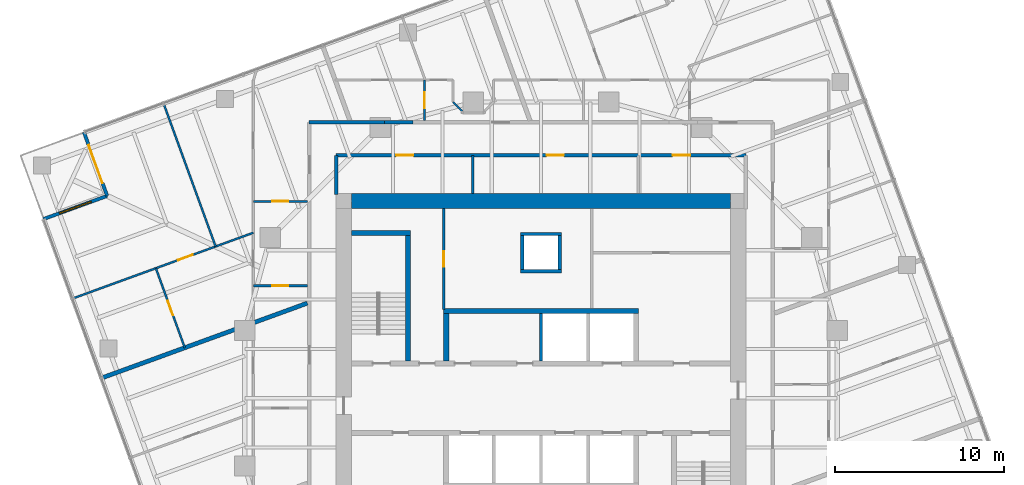
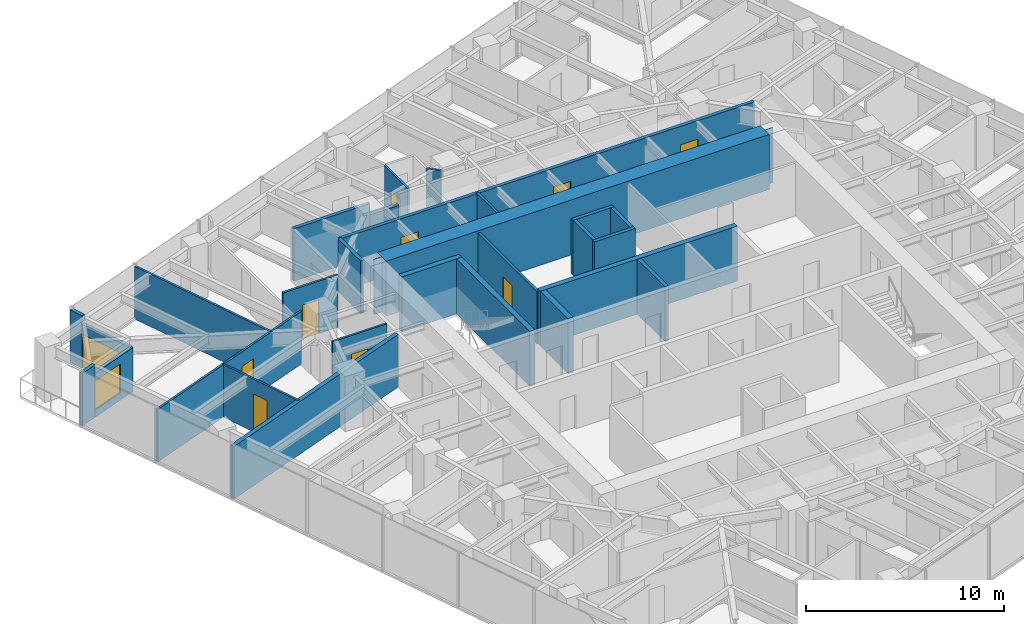
# One storey, part 10 of 13: 28 walls, 10 doors, 1 window, 11 openings.
"""IFC4 building model written with IfcOpenShell, lengths in metres."""

from ifc_helpers import new_model, si_unit, direction, frame, frame_2d, origin, place, context, subcontext, project, spatial, polyline, rectangle, outline, extrude, material, layer, layer_set, type_object, element, fill, save


model = new_model("IFC4")

# Units and contexts
model_context = context("Model", 3, precision=1e-05, world=origin(), true_north=direction((0.0, 1.0)))
body_context = subcontext(model_context, "Body", "Model", "MODEL_VIEW")
ifc_project = project(units=[si_unit("LENGTHUNIT", "METRE"), si_unit("AREAUNIT", "SQUARE_METRE"), si_unit("VOLUMEUNIT", "CUBIC_METRE"), si_unit("PLANEANGLEUNIT", "RADIAN"), si_unit("MASSUNIT", "GRAM", prefix="KILO")], contexts=[model_context])

# Site, building, storey
site_placement = place(None, origin())
site = spatial("IfcSite", under=ifc_project, at=site_placement, CompositionType="ELEMENT")
building_placement = place(site_placement, origin())
building = spatial("IfcBuilding", under=site, at=building_placement, Name="Torsade Residences", CompositionType="ELEMENT")
storey_placement = place(building_placement, frame((0.0, 0.0, 147.199951171875)))
storey = spatial("IfcBuildingStorey", under=building, at=storey_placement, Name="L40", CompositionType="ELEMENT", Elevation=147.199951171875)

# Walls
ifc_material_1 = material(Name="Concrete 80 MPa", Category="concrete")
ifc_layer_1 = layer(ifc_material_1, 0.300048828125)
ifc_layer_set_1 = layer_set([ifc_layer_1], Name="Concrete 80 MPa")
wall_type_1 = type_object("IfcWallType", Name="CORE INTERNAL WALL 300", PredefinedType="SHEAR", material=ifc_layer_set_1)
wall_1_placement = place(storey_placement, frame((34.25, 35.14990234375, 0.0), z_axis=(0.0, 0.0, 1.0), x_axis=(1.0, 0.0, 0.0)))
element("IfcWall", 1, at=wall_1_placement, inside=storey, type_object=wall_type_1, Name="Core wall BN L40", PredefinedType="SHEAR", context=body_context, shape_type="SweptSolid", body=[
    extrude(rectangle(XDim=11.5, YDim=0.300048828125, at=frame_2d((5.75, 0.0))), origin(), (0.0, 0.0, 1.0), 3.400146484375),
])
wall_2_placement = place(storey_placement, frame((34.39990234375, 32.199951171875, 0.0), z_axis=(0.0, 0.0, 1.0), x_axis=(0.0, 1.0, 0.0)))
element("IfcWall", 2, at=wall_2_placement, inside=storey, type_object=wall_type_1, Name="Core wall DN0 L40", PredefinedType="SHEAR", context=body_context, shape_type="SweptSolid", body=[
    extrude(rectangle(XDim=2.800048828125, YDim=0.300048828125, at=frame_2d((1.39990234375, 0.0))), origin(), (0.0, 0.0, 1.0), 3.400146484375),
])
wall_3_placement = place(storey_placement, frame((32.14990234375, 32.199951171875, 0.0), z_axis=(0.0, 0.0, 1.0), x_axis=(0.0, 1.0, 0.0)))
element("IfcWall", 3, at=wall_3_placement, inside=storey, type_object=wall_type_1, Name="Core wall ST1E L40", PredefinedType="SHEAR", context=body_context, shape_type="SweptSolid", body=[
    extrude(rectangle(XDim=7.699951171875, YDim=0.300048828125, at=frame_2d((3.85009765625, 0.0))), origin(), (0.0, 0.0, 1.0), 3.400146484375),
])
wall_4_placement = place(storey_placement, frame((28.800048828125, 39.75, 0.0), z_axis=(0.0, 0.0, 1.0), x_axis=(1.0, 0.0, 0.0)))
element("IfcWall", 4, at=wall_4_placement, inside=storey, type_object=wall_type_1, Name="Core wall ST1N L40", PredefinedType="SHEAR", context=body_context, shape_type="SweptSolid", body=[
    extrude(rectangle(XDim=3.5, YDim=0.300048828125, at=frame_2d((1.75, 0.0))), origin(), (0.0, 0.0, 1.0), 3.400146484375),
])
ifc_material_2 = material(Name="Concrete 80 MPa", Category="concrete")
ifc_layer_2 = layer(ifc_material_2, 0.89990234375)
ifc_layer_set_2 = layer_set([ifc_layer_2], Name="Concrete 80 MPa")
wall_type_2 = type_object("IfcWallType", Name="CORE WALL 900", PredefinedType="SHEAR", material=ifc_layer_set_2)
wall_5_placement = place(storey_placement, frame((28.800048828125, 41.64990234375, 0.0), z_axis=(0.0, 0.0, 1.0), x_axis=(1.0, 0.0, 0.0)))
element("IfcWall", 5, at=wall_5_placement, inside=storey, type_object=wall_type_2, Name="Core wall N L40", PredefinedType="SHEAR", context=body_context, shape_type="SweptSolid", body=[
    extrude(outline(polyline([(0.0, -0.449951171875), (22.39990234375, -0.449951171875), (22.39990234375, -0.02490234375), (22.849853515625, -0.02490234375), (22.849853515625, 0.02490234375), (22.39990234375, 0.02490234375), (22.39990234375, 0.449951171875), (0.0, 0.449951171875), (0.0, 0.02490234375), (-0.449951171875, 0.02490234375), (-0.449951171875, -0.02490234375), (0.0, -0.02490234375), (0.0, -0.449951171875)])), origin(), (0.0, 0.0, 1.0), 3.400146484375),
])
ifc_material_3 = material(Name="Plasterboard on steel stud", Category="steel")
ifc_layer_3 = layer(ifc_material_3, 0.199951171875)
ifc_layer_set_3 = layer_set([ifc_layer_3], Name="Plasterboard on steel stud")
wall_type_3 = type_object("IfcWallType", Name="CORRIDOR WALL 200", PredefinedType="PARTITIONING", material=ifc_layer_set_3)
wall_6_placement = place(storey_placement, frame((32.441650390625, 46.300048828125, 0.0), z_axis=(0.0, 0.0, 1.0), x_axis=(-1.0, 0.0, 0.0)))
element("IfcWall", 6, at=wall_6_placement, inside=storey, type_object=wall_type_3, Name="Corridor wall L40", PredefinedType="PARTITIONING", context=body_context, shape_type="SweptSolid", body=[
    extrude(rectangle(XDim=1.683349609375, YDim=0.199951171875, at=frame_2d((0.841796875, 0.0))), origin(), (0.0, 0.0, 1.0), 2.550048828125),
])
wall_7_placement = place(storey_placement, frame((30.75830078125, 46.300048828125, 0.0), z_axis=(0.0, 0.0, 1.0), x_axis=(-1.0, 0.0, 0.0)))
element("IfcWall", 7, at=wall_7_placement, inside=storey, type_object=wall_type_3, Name="Corridor wall L40", PredefinedType="PARTITIONING", context=body_context, shape_type="SweptSolid", body=[
    extrude(rectangle(XDim=4.458251953125, YDim=0.199951171875, at=frame_2d((2.22900390625, 0.0))), origin(), (0.0, 0.0, 1.0), 3.25),
])

# Wall, openings, doors
wall_8_placement = place(storey_placement, frame((52.10009765625, 44.35009765625, 0.0), z_axis=(0.0, 0.0, 1.0), x_axis=(-1.0, 0.0, 0.0)))
wall_8 = element("IfcWall", 8, at=wall_8_placement, inside=storey, type_object=wall_type_3, Name="Corridor wall L40", PredefinedType="PARTITIONING", context=body_context, shape_type="SweptSolid", body=[
    extrude(rectangle(XDim=24.2001953125, YDim=0.199951171875, at=frame_2d((12.10009765625, 0.0))), origin(), (0.0, 0.0, 1.0), 3.25),
])
opening_1_placement = place(wall_8_placement, frame((10.742919921875, 0.0, 0.0)))
opening_1 = element("IfcOpeningElement", 9, at=opening_1_placement, cuts=wall_8, Name="Opening D03", PredefinedType="OPENING", context=body_context, shape_type="SweptSolid", body=[
    extrude(rectangle(XDim=1.02001953125, YDim=2.10009765625, at=frame_2d((0.510009765625, 1.050048828125))), frame((0.0, 0.10986328125, 0.0), z_axis=(0.0, -1.0, 0.0), x_axis=(1.0, 0.0, 0.0)), (0.0, 0.0, 1.0), 0.219970703125),
])
opening_2_placement = place(wall_8_placement, frame((19.6357421875, 0.0, 0.0)))
opening_2 = element("IfcOpeningElement", 10, at=opening_2_placement, cuts=wall_8, Name="Opening D03", PredefinedType="OPENING", context=body_context, shape_type="SweptSolid", body=[
    extrude(rectangle(XDim=1.02001953125, YDim=2.10009765625, at=frame_2d((0.510009765625, 1.050048828125))), frame((0.0, 0.10986328125, 0.0), z_axis=(0.0, -1.0, 0.0), x_axis=(1.0, 0.0, 0.0)), (0.0, 0.0, 1.0), 0.219970703125),
])
opening_3_placement = place(wall_8_placement, frame((3.29736328125, 0.0, 0.0)))
opening_3 = element("IfcOpeningElement", 11, at=opening_3_placement, cuts=wall_8, Name="Opening D03", PredefinedType="OPENING", context=body_context, shape_type="SweptSolid", body=[
    extrude(rectangle(XDim=1.02001953125, YDim=2.10009765625, at=frame_2d((0.510009765625, 1.050048828125))), frame((0.0, 0.10986328125, 0.0), z_axis=(0.0, -1.0, 0.0), x_axis=(1.0, 0.0, 0.0)), (0.0, 0.0, 1.0), 0.219970703125),
])
ifc_material_4 = material(Name="Steel-framed fire door", Category="steel")
door_type_1 = type_object("IfcDoorType", Name="FIRE DOOR 1020", OperationType="NOTDEFINED", PredefinedType="DOOR", material=ifc_material_4)
door_1_placement = place(opening_1_placement, origin())
door_1 = element("IfcDoor", 12, at=door_1_placement, inside=storey, type_object=door_type_1, Name="Door Residential corridor to Residents storage", OperationType="SINGLE_SWING_LEFT", OverallHeight=2.10009765625, OverallWidth=1.02001953125, PredefinedType="DOOR", context=body_context, shape_type="SweptSolid", body=[
    extrude(rectangle(XDim=1.02001953125, YDim=2.10009765625, at=frame_2d((0.510009765625, 1.050048828125))), frame((0.0, 0.02490234375, 0.0), z_axis=(0.0, -1.0, 0.0), x_axis=(1.0, 0.0, 0.0)), (0.0, 0.0, 1.0), 0.050048828125),
])
fill(opening_1, door_1)
door_2_placement = place(opening_2_placement, origin())
door_2 = element("IfcDoor", 13, at=door_2_placement, inside=storey, type_object=door_type_1, Name="Door Residential corridor to Bulk store", OperationType="SINGLE_SWING_LEFT", OverallHeight=2.10009765625, OverallWidth=1.02001953125, PredefinedType="DOOR", context=body_context, shape_type="SweptSolid", body=[
    extrude(rectangle(XDim=1.02001953125, YDim=2.10009765625, at=frame_2d((0.510009765625, 1.050048828125))), frame((0.0, 0.02490234375, 0.0), z_axis=(0.0, -1.0, 0.0), x_axis=(1.0, 0.0, 0.0)), (0.0, 0.0, 1.0), 0.050048828125),
])
fill(opening_2, door_2)
door_3_placement = place(opening_3_placement, origin())
door_3 = element("IfcDoor", 14, at=door_3_placement, inside=storey, type_object=door_type_1, Name="Door Residential corridor to Parcel room", OperationType="SINGLE_SWING_RIGHT", OverallHeight=2.10009765625, OverallWidth=1.02001953125, PredefinedType="DOOR", context=body_context, shape_type="SweptSolid", body=[
    extrude(rectangle(XDim=1.02001953125, YDim=2.10009765625, at=frame_2d((0.510009765625, 1.050048828125))), frame((0.0, 0.02490234375, 0.0), z_axis=(0.0, -1.0, 0.0), x_axis=(1.0, 0.0, 0.0)), (0.0, 0.0, 1.0), 0.050048828125),
])
fill(opening_3, door_3)

# Walls
wall_9_placement = place(storey_placement, frame((27.89990234375, 44.35009765625, 0.0), z_axis=(0.0, 0.0, 1.0), x_axis=(0.0, -1.0, 0.0)))
element("IfcWall", 15, at=wall_9_placement, inside=storey, type_object=wall_type_3, Name="Corridor wall L40", PredefinedType="PARTITIONING", context=body_context, shape_type="SweptSolid", body=[
    extrude(rectangle(XDim=2.300048828125, YDim=0.199951171875, at=frame_2d((1.14990234375, 0.0))), origin(), (0.0, 0.0, 1.0), 3.25),
])
ifc_material_5 = material(Name="Reinforced blockwork", Category="masonry")
ifc_layer_4 = layer(ifc_material_5, 0.199951171875)
ifc_layer_set_4 = layer_set([ifc_layer_4], Name="Reinforced blockwork")
wall_type_4 = type_object("IfcWallType", Name="LIFT SHAFT DIVIDING WALL 200", PredefinedType="SOLIDWALL", material=ifc_layer_set_4)
wall_10_placement = place(storey_placement, frame((40.0, 32.199951171875, 0.0), z_axis=(0.0, 0.0, 1.0), x_axis=(0.0, 1.0, 0.0)))
element("IfcWall", 16, at=wall_10_placement, inside=storey, type_object=wall_type_4, Name="Core wall DN2 L40", PredefinedType="SOLIDWALL", context=body_context, shape_type="SweptSolid", body=[
    extrude(rectangle(XDim=2.800048828125, YDim=0.199951171875, at=frame_2d((1.39990234375, 0.0))), origin(), (0.0, 0.0, 1.0), 3.400146484375),
])
ifc_material_6 = material(Name="Plasterboard on steel stud", Category="steel")
ifc_layer_5 = layer(ifc_material_6, 0.1201171875)
ifc_layer_set_5 = layer_set([ifc_layer_5], Name="Plasterboard on steel stud")
wall_type_5 = type_object("IfcWallType", Name="PARTITION 120", PredefinedType="PARTITIONING", material=ifc_layer_set_5)
wall_11_placement = place(storey_placement, frame((34.800048828125, 47.5, 0.0), z_axis=(0.0, 0.0, 1.0), x_axis=(0.707106781187, -0.707106781187, 0.0)))
element("IfcWall", 17, at=wall_11_placement, inside=storey, type_object=wall_type_5, Name="Partition L40", PredefinedType="PARTITIONING", context=body_context, shape_type="SweptSolid", body=[
    extrude(rectangle(XDim=0.77783203125, YDim=0.1201171875, at=frame_2d((0.388916015625, 0.0))), origin(), (0.0, 0.0, 1.0), 3.25),
])

# Wall, opening, door
wall_12_placement = place(storey_placement, frame((33.111572265625, 46.39990234375, 0.0), z_axis=(0.0, 0.0, 1.0), x_axis=(0.0, 1.0, 0.0)))
wall_12 = element("IfcWall", 18, at=wall_12_placement, inside=storey, type_object=wall_type_5, Name="Partition L40", PredefinedType="PARTITIONING", context=body_context, shape_type="SweptSolid", body=[
    extrude(rectangle(XDim=2.400146484375, YDim=0.1201171875, at=frame_2d((1.2001953125, 0.0))), origin(), (0.0, 0.0, 1.0), 3.25),
])
opening_4_placement = place(wall_12_placement, frame((0.719970703125, 0.0, 0.0)))
opening_4 = element("IfcOpeningElement", 19, at=opening_4_placement, cuts=wall_12, Name="Opening D05", PredefinedType="OPENING", context=body_context, shape_type="SweptSolid", body=[
    extrude(rectangle(XDim=0.9599609375, YDim=2.10009765625, at=frame_2d((0.47998046875, 1.050048828125))), frame((0.0, 0.070068359375, 0.0), z_axis=(0.0, -1.0, 0.0), x_axis=(1.0, 0.0, 0.0)), (0.0, 0.0, 1.0), 0.14013671875),
])
ifc_material_7 = material(Name="Hollow-core timber door in a steel cavity frame", Category="steel")
door_type_2 = type_object("IfcDoorType", Name="BATHROOM CAVITY SLIDING DOOR 960", OperationType="SLIDING_TO_LEFT", PredefinedType="DOOR", material=ifc_material_7)
door_4_placement = place(opening_4_placement, origin())
door_4 = element("IfcDoor", 20, at=door_4_placement, inside=storey, type_object=door_type_2, Name="Door Kitchen and dining to Bathroom", OperationType="SLIDING_TO_LEFT", OverallHeight=2.10009765625, OverallWidth=0.9599609375, PredefinedType="DOOR", context=body_context, shape_type="SweptSolid", body=[
    extrude(rectangle(XDim=0.9599609375, YDim=2.10009765625, at=frame_2d((0.47998046875, 1.050048828125))), frame((0.0, 0.02490234375, 0.0), z_axis=(0.0, -1.0, 0.0), x_axis=(1.0, 0.0, 0.0)), (0.0, 0.0, 1.0), 0.050048828125),
])
fill(opening_4, door_4)

wall_13_placement = place(storey_placement, frame((26.199951171875, 41.633544921875, 0.0), z_axis=(0.0, 0.0, 1.0), x_axis=(-1.0, 0.0, 0.0)))
wall_13 = element("IfcWall", 21, at=wall_13_placement, inside=storey, type_object=wall_type_5, Name="Partition L40", PredefinedType="PARTITIONING", context=body_context, shape_type="SweptSolid", body=[
    extrude(rectangle(XDim=3.199951171875, YDim=0.1201171875, at=frame_2d((1.60009765625, 0.0))), origin(), (0.0, 0.0, 1.0), 3.25),
])
opening_5_placement = place(wall_13_placement, frame((1.1201171875, 0.0, 0.0)))
opening_5 = element("IfcOpeningElement", 22, at=opening_5_placement, cuts=wall_13, Name="Opening D05", PredefinedType="OPENING", context=body_context, shape_type="SweptSolid", body=[
    extrude(rectangle(XDim=0.9599609375, YDim=2.10009765625, at=frame_2d((0.47998046875, 1.050048828125))), frame((0.0, 0.070068359375, 0.0), z_axis=(0.0, -1.0, 0.0), x_axis=(1.0, 0.0, 0.0)), (0.0, 0.0, 1.0), 0.14013671875),
])
door_5_placement = place(opening_5_placement, origin())
door_5 = element("IfcDoor", 23, at=door_5_placement, inside=storey, type_object=door_type_2, Name="Door Kitchen and dining to Bathroom", OperationType="SLIDING_TO_LEFT", OverallHeight=2.10009765625, OverallWidth=0.9599609375, PredefinedType="DOOR", context=body_context, shape_type="SweptSolid", body=[
    extrude(rectangle(XDim=0.9599609375, YDim=2.10009765625, at=frame_2d((0.47998046875, 1.050048828125))), frame((0.0, 0.02490234375, 0.0), z_axis=(0.0, -1.0, 0.0), x_axis=(1.0, 0.0, 0.0)), (0.0, 0.0, 1.0), 0.050048828125),
])
fill(opening_5, door_5)

wall_14_placement = place(storey_placement, frame((26.199951171875, 36.64453125, 0.0), z_axis=(0.0, 0.0, 1.0), x_axis=(-1.0, 0.0, 0.0)))
wall_14 = element("IfcWall", 24, at=wall_14_placement, inside=storey, type_object=wall_type_5, Name="Partition L40", PredefinedType="PARTITIONING", context=body_context, shape_type="SweptSolid", body=[
    extrude(rectangle(XDim=3.199951171875, YDim=0.1201171875, at=frame_2d((1.60009765625, 0.0))), origin(), (0.0, 0.0, 1.0), 3.25),
])
opening_6_placement = place(wall_14_placement, frame((1.1201171875, 0.0, 0.0)))
opening_6 = element("IfcOpeningElement", 25, at=opening_6_placement, cuts=wall_14, Name="Opening D05", PredefinedType="OPENING", context=body_context, shape_type="SweptSolid", body=[
    extrude(rectangle(XDim=0.9599609375, YDim=2.10009765625, at=frame_2d((0.47998046875, 1.050048828125))), frame((0.0, 0.070068359375, 0.0), z_axis=(0.0, -1.0, 0.0), x_axis=(1.0, 0.0, 0.0)), (0.0, 0.0, 1.0), 0.14013671875),
])
door_6_placement = place(opening_6_placement, origin())
door_6 = element("IfcDoor", 26, at=door_6_placement, inside=storey, type_object=door_type_2, Name="Door Bathroom to Ensuite", OperationType="SLIDING_TO_LEFT", OverallHeight=2.10009765625, OverallWidth=0.9599609375, PredefinedType="DOOR", context=body_context, shape_type="SweptSolid", body=[
    extrude(rectangle(XDim=0.9599609375, YDim=2.10009765625, at=frame_2d((0.47998046875, 1.050048828125))), frame((0.0, 0.02490234375, 0.0), z_axis=(0.0, -1.0, 0.0), x_axis=(1.0, 0.0, 0.0)), (0.0, 0.0, 1.0), 0.050048828125),
])
fill(opening_6, door_6)

# Wall
wall_15_placement = place(storey_placement, frame((17.709716796875, 47.384765625, 0.0), z_axis=(0.0, 0.0, 1.0), x_axis=(0.342038393654, -0.939685978009, 0.0)))
element("IfcWall", 27, at=wall_15_placement, inside=storey, type_object=wall_type_5, Name="Partition L40", PredefinedType="PARTITIONING", context=body_context, shape_type="SweptSolid", body=[
    extrude(rectangle(XDim=8.960205078125, YDim=0.1201171875, at=frame_2d((4.47998046875, 0.0))), origin(), (0.0, 0.0, 1.0), 3.25),
])

# Wall, opening, door
wall_16_placement = place(storey_placement, frame((23.0, 39.775146484375, 0.0), z_axis=(0.0, 0.0, 1.0), x_axis=(-0.939693965364, -0.342016449105, 0.0)))
wall_16 = element("IfcWall", 28, at=wall_16_placement, inside=storey, type_object=wall_type_5, Name="Partition L40", PredefinedType="PARTITIONING", context=body_context, shape_type="SweptSolid", body=[
    extrude(rectangle(XDim=11.328369140625, YDim=0.1201171875, at=frame_2d((5.6640625, 0.0))), origin(), (0.0, 0.0, 1.0), 3.25),
])
opening_7_placement = place(wall_16_placement, frame((3.812255859375, 0.0, 0.0)))
opening_7 = element("IfcOpeningElement", 29, at=opening_7_placement, cuts=wall_16, Name="Opening D02", PredefinedType="OPENING", context=body_context, shape_type="SweptSolid", body=[
    extrude(rectangle(XDim=0.919921875, YDim=2.340087890625, at=frame_2d((0.4599609375, 1.169921875))), frame((0.0, 0.070068359375, 0.0), z_axis=(0.0, -1.0, 0.0), x_axis=(1.0, 0.0, 0.0)), (0.0, 0.0, 1.0), 0.14013671875),
])
ifc_material_8 = material(Name="Hollow-core timber door", Category="wood")
door_type_3 = type_object("IfcDoorType", Name="INTERNAL DOOR 920x2340", OperationType="NOTDEFINED", PredefinedType="DOOR", material=ifc_material_8)
door_7_placement = place(opening_7_placement, origin())
door_7 = element("IfcDoor", 30, at=door_7_placement, inside=storey, type_object=door_type_3, Name="Door Walk-in robe to Living room", OperationType="SINGLE_SWING_RIGHT", OverallHeight=2.340087890625, OverallWidth=0.919921875, PredefinedType="DOOR", context=body_context, shape_type="SweptSolid", body=[
    extrude(rectangle(XDim=0.919921875, YDim=2.340087890625, at=frame_2d((0.4599609375, 1.169921875))), frame((0.0, 0.02490234375, 0.0), z_axis=(0.0, -1.0, 0.0), x_axis=(1.0, 0.0, 0.0)), (0.0, 0.0, 1.0), 0.050048828125),
])
fill(opening_7, door_7)

wall_17_placement = place(storey_placement, frame((17.243408203125, 37.679931640625, 0.0), z_axis=(0.0, 0.0, 1.0), x_axis=(0.341993964619, -0.939702148643, 0.0)))
wall_17 = element("IfcWall", 31, at=wall_17_placement, inside=storey, type_object=wall_type_5, Name="Partition L40", PredefinedType="PARTITIONING", context=body_context, shape_type="SweptSolid", body=[
    extrude(rectangle(XDim=5.0, YDim=0.1201171875, at=frame_2d((2.5, 0.0))), origin(), (0.0, 0.0, 1.0), 3.25),
])
opening_8_placement = place(wall_17_placement, frame((2.0400390625, 0.0, 0.0)))
opening_8 = element("IfcOpeningElement", 32, at=opening_8_placement, cuts=wall_17, Name="Opening D02", PredefinedType="OPENING", context=body_context, shape_type="SweptSolid", body=[
    extrude(rectangle(XDim=0.919921875, YDim=2.340087890625, at=frame_2d((0.4599609375, 1.169921875))), frame((0.0, 0.070068359375, 0.0), z_axis=(0.0, -1.0, 0.0), x_axis=(1.0, 0.0, 0.0)), (0.0, 0.0, 1.0), 0.14013671875),
])
door_8_placement = place(opening_8_placement, origin())
door_8 = element("IfcDoor", 33, at=door_8_placement, inside=storey, type_object=door_type_3, Name="Door Walk-in robe to Bedroom 2", OperationType="SINGLE_SWING_RIGHT", OverallHeight=2.340087890625, OverallWidth=0.919921875, PredefinedType="DOOR", context=body_context, shape_type="SweptSolid", body=[
    extrude(rectangle(XDim=0.919921875, YDim=2.340087890625, at=frame_2d((0.4599609375, 1.169921875))), frame((0.0, 0.02490234375, 0.0), z_axis=(0.0, -1.0, 0.0), x_axis=(1.0, 0.0, 0.0)), (0.0, 0.0, 1.0), 0.050048828125),
])
fill(opening_8, door_8)

# Walls
ifc_material_9 = material(Name="Masonry-lined stud party wall", Category="masonry")
ifc_layer_6 = layer(ifc_material_9, 0.25)
ifc_layer_set_6 = layer_set([ifc_layer_6], Name="Masonry-lined stud party wall")
wall_type_6 = type_object("IfcWallType", Name="PARTY WALL 250", PredefinedType="PARTITIONING", material=ifc_layer_set_6)
wall_18_placement = place(storey_placement, frame((14.027099609375, 31.1884765625, 0.0), z_axis=(0.0, 0.0, 1.0), x_axis=(0.939692090592, 0.342021600019, 0.0)))
element("IfcWall", 34, at=wall_18_placement, inside=storey, type_object=wall_type_6, Name="Party wall L40", PredefinedType="PARTITIONING", context=body_context, shape_type="SweptSolid", body=[
    extrude(rectangle(XDim=12.94873046875, YDim=0.25, at=frame_2d((6.474365234375, 0.0))), origin(), (0.0, 0.0, 1.0), 3.25),
])
ifc_material_10 = material(Name="Reinforced blockwork", Category="masonry")
ifc_layer_7 = layer(ifc_material_10, 0.199951171875)
ifc_layer_set_7 = layer_set([ifc_layer_7], Name="Reinforced blockwork")
wall_type_7 = type_object("IfcWallType", Name="RISER SHAFT WALL 200", PredefinedType="SOLIDWALL", material=ifc_layer_set_7)
for number, where, z_axis, x_axis, name in (
    (35, (38.89990234375, 37.60009765625, 0.0), (0.0, 0.0, 1.0), (0.0, 1.0, 0.0), "Core wall RS1a L40"),
    (36, (41.10009765625, 37.60009765625, 0.0), (0.0, 0.0, 1.0), (0.0, 1.0, 0.0), "Core wall RS1b L40"),
):
    element("IfcWall", number, at=place(storey_placement, frame(where, z_axis=z_axis, x_axis=x_axis)), inside=storey, type_object=wall_type_7, Name=name, PredefinedType="SOLIDWALL", context=body_context, shape_type="SweptSolid", body=[
        extrude(rectangle(XDim=2.0, YDim=0.199951171875, at=frame_2d((1.0, 0.0))), origin(), (0.0, 0.0, 1.0), 3.400146484375),
    ])
for number, where, z_axis, x_axis, name in (
    (37, (38.800048828125, 37.5, 0.0), (0.0, 0.0, 1.0), (1.0, 0.0, 0.0), "Core wall RS1c L40"),
    (38, (38.800048828125, 39.699951171875, 0.0), (0.0, 0.0, 1.0), (1.0, 0.0, 0.0), "Core wall RS1d L40"),
):
    element("IfcWall", number, at=place(storey_placement, frame(where, z_axis=z_axis, x_axis=x_axis)), inside=storey, type_object=wall_type_7, Name=name, PredefinedType="SOLIDWALL", context=body_context, shape_type="SweptSolid", body=[
        extrude(rectangle(XDim=2.39990234375, YDim=0.199951171875, at=frame_2d((1.199951171875, 0.0))), origin(), (0.0, 0.0, 1.0), 3.400146484375),
    ])

# Wall, opening, door
ifc_material_11 = material(Name="Reinforced blockwork", Category="masonry")
ifc_layer_8 = layer(ifc_material_11, 0.14990234375)
ifc_layer_set_8 = layer_set([ifc_layer_8], Name="Reinforced blockwork")
wall_type_8 = type_object("IfcWallType", Name="SERVICE ROOM WALL 150", PredefinedType="SOLIDWALL", material=ifc_layer_set_8)
wall_19_placement = place(storey_placement, frame((34.25, 41.199951171875, 0.0), z_axis=(0.0, 0.0, 1.0), x_axis=(0.0, -1.0, 0.0)))
wall_19 = element("IfcWall", 39, at=wall_19_placement, inside=storey, type_object=wall_type_8, Name="Service room wall L40", PredefinedType="SOLIDWALL", context=body_context, shape_type="SweptSolid", body=[
    extrude(rectangle(XDim=5.949951171875, YDim=0.14990234375, at=frame_2d((2.97509765625, 0.0))), origin(), (0.0, 0.0, 1.0), 3.25),
])
opening_9_placement = place(wall_19_placement, frame((2.514892578125, 0.0, 0.0)))
opening_9 = element("IfcOpeningElement", 40, at=opening_9_placement, cuts=wall_19, Name="Opening D06", PredefinedType="OPENING", context=body_context, shape_type="SweptSolid", body=[
    extrude(rectangle(XDim=0.919921875, YDim=2.10009765625, at=frame_2d((0.4599609375, 1.050048828125))), frame((0.0, 0.0849609375, 0.0), z_axis=(0.0, -1.0, 0.0), x_axis=(1.0, 0.0, 0.0)), (0.0, 0.0, 1.0), 0.169921875),
])
ifc_material_12 = material(Name="Steel-framed fire door", Category="steel")
door_type_4 = type_object("IfcDoorType", Name="FIRE DOOR 920", OperationType="NOTDEFINED", PredefinedType="DOOR", material=ifc_material_12)
door_9_placement = place(opening_9_placement, origin())
door_9 = element("IfcDoor", 41, at=door_9_placement, inside=storey, type_object=door_type_4, Name="Door Main switchboard store to Electrical riser room", OperationType="SINGLE_SWING_LEFT", OverallHeight=2.10009765625, OverallWidth=0.919921875, PredefinedType="DOOR", context=body_context, shape_type="SweptSolid", body=[
    extrude(rectangle(XDim=0.919921875, YDim=2.10009765625, at=frame_2d((0.4599609375, 1.050048828125))), frame((0.0, 0.02490234375, 0.0), z_axis=(0.0, -1.0, 0.0), x_axis=(1.0, 0.0, 0.0)), (0.0, 0.0, 1.0), 0.050048828125),
])
fill(opening_9, door_9)

# Walls
wall_20_placement = place(storey_placement, frame((35.95849609375, 42.10009765625, 0.0), z_axis=(0.0, 0.0, 1.0), x_axis=(0.0, 1.0, 0.0)))
element("IfcWall", 42, at=wall_20_placement, inside=storey, type_object=wall_type_8, Name="Service room wall L40", PredefinedType="SOLIDWALL", context=body_context, shape_type="SweptSolid", body=[
    extrude(rectangle(XDim=2.25, YDim=0.14990234375, at=frame_2d((1.125, 0.0))), origin(), (0.0, 0.0, 1.0), 3.25),
])
ifc_material_13 = material(Name="Stone-faced precast concrete 40 MPa panel", Category="masonry")
ifc_layer_9 = layer(ifc_material_13, 0.199951171875)
ifc_layer_set_9 = layer_set([ifc_layer_9], Name="Stone-faced precast concrete 40 MPa panel")
wall_type_9 = type_object("IfcWallType", Name="TERRACE WALL 200", PredefinedType="SOLIDWALL", material=ifc_layer_set_9)
wall_21_placement = place(storey_placement, frame((12.99755859375, 45.712158203125, 0.0), z_axis=(0.0, 0.0, 1.0), x_axis=(0.342110593602, -0.939659694648, 0.0)))
element("IfcWall", 43, at=wall_21_placement, inside=storey, type_object=wall_type_9, Name="Terrace wall L40 8", PredefinedType="SOLIDWALL", context=body_context, shape_type="SweptSolid", body=[
    extrude(rectangle(XDim=0.800048828125, YDim=0.199951171875, at=frame_2d((0.39990234375, 0.0))), origin(), (0.0, 0.0, 1.0), 3.25),
])

# Wall, opening, door
wall_22_placement = place(storey_placement, frame((13.271240234375, 44.96044921875, 0.0), z_axis=(0.0, 0.0, 1.0), x_axis=(0.342018703306, -0.939693144909, 0.0)))
wall_22 = element("IfcWall", 44, at=wall_22_placement, inside=storey, type_object=wall_type_9, Name="Terrace wall L40 8", PredefinedType="SOLIDWALL", context=body_context, shape_type="SweptSolid", body=[
    extrude(rectangle(XDim=3.199951171875, YDim=0.199951171875, at=frame_2d((1.60009765625, 0.0))), origin(), (0.0, 0.0, 1.0), 2.72216796875),
])
opening_10_placement = place(wall_22_placement, origin())
opening_10 = element("IfcOpeningElement", 45, at=opening_10_placement, cuts=wall_22, Name="Opening D10A", PredefinedType="OPENING", context=body_context, shape_type="SweptSolid", body=[
    extrude(rectangle(XDim=2.39990234375, YDim=2.10009765625, at=frame_2d((1.199951171875, 1.050048828125))), frame((0.0, 0.10986328125, 0.0), z_axis=(0.0, -1.0, 0.0), x_axis=(1.0, 0.0, 0.0)), (0.0, 0.0, 1.0), 0.219970703125),
])
ifc_material_14 = material(Name="Aluminium-framed glass door", Category="aluminium")
door_type_5 = type_object("IfcDoorType", Name="TERRACE SLIDING DOOR 2400x2100", OperationType="SLIDING_TO_LEFT", PredefinedType="DOOR", material=ifc_material_14)
door_10_placement = place(opening_10_placement, origin())
door_10 = element("IfcDoor", 46, at=door_10_placement, inside=storey, type_object=door_type_5, Name="Terrace door L40 8", OperationType="SLIDING_TO_LEFT", OverallHeight=2.10009765625, OverallWidth=2.39990234375, PredefinedType="DOOR", context=body_context, shape_type="SweptSolid", body=[
    extrude(rectangle(XDim=2.39990234375, YDim=2.10009765625, at=frame_2d((1.199951171875, 1.050048828125))), frame((0.0, 0.02490234375, 0.0), z_axis=(0.0, -1.0, 0.0), x_axis=(1.0, 0.0, 0.0)), (0.0, 0.0, 1.0), 0.050048828125),
])
fill(opening_10, door_10)

# Wall, opening, window
wall_23_placement = place(storey_placement, frame((14.36572265625, 41.953369140625, 0.0), z_axis=(0.0, 0.0, 1.0), x_axis=(-0.939712609717, -0.341965219194, 0.0)))
wall_23 = element("IfcWall", 47, at=wall_23_placement, inside=storey, type_object=wall_type_9, Name="Terrace wall L40 9", PredefinedType="SOLIDWALL", context=body_context, shape_type="SweptSolid", body=[
    extrude(rectangle(XDim=3.0, YDim=0.199951171875, at=frame_2d((1.5, 0.0))), origin(), (0.0, 0.0, 1.0), 2.72216796875),
])
opening_11_placement = place(wall_23_placement, frame((1.0, 0.0, 0.449951171875)))
opening_11 = element("IfcOpeningElement", 48, at=opening_11_placement, cuts=wall_23, Name="Opening W1B", PredefinedType="OPENING", context=body_context, shape_type="SweptSolid", body=[
    extrude(rectangle(XDim=2.0, YDim=1.800048828125, at=frame_2d((1.0, 0.89990234375))), frame((0.0, 0.10986328125, 0.0), z_axis=(0.0, -1.0, 0.0), x_axis=(1.0, 0.0, 0.0)), (0.0, 0.0, 1.0), 0.219970703125),
])
ifc_material_15 = material(Name="Aluminium-framed glass window", Category="aluminium")
window_type = type_object("IfcWindowType", Name="TERRACE WINDOW 2000x1800", PartitioningType="SINGLE_PANEL", PredefinedType="WINDOW", material=ifc_material_15)
window_placement = place(opening_11_placement, origin())
window = element("IfcWindow", 49, at=window_placement, inside=storey, type_object=window_type, Name="Terrace window L40 9", OverallHeight=1.800048828125, OverallWidth=2.0, PartitioningType="SINGLE_PANEL", PredefinedType="WINDOW", context=body_context, shape_type="SweptSolid", body=[
    extrude(rectangle(XDim=2.0, YDim=1.800048828125, at=frame_2d((1.0, 0.89990234375))), frame((0.0, 0.030029296875, 0.0), z_axis=(0.0, -1.0, 0.0), x_axis=(1.0, 0.0, 0.0)), (0.0, 0.0, 1.0), 0.06005859375),
])
fill(opening_11, window)

# Wall
wall_24_placement = place(storey_placement, frame((11.546630859375, 40.927490234375, 0.0), z_axis=(0.0, 0.0, 1.0), x_axis=(-0.939686455819, -0.342037080957, 0.0)))
element("IfcWall", 50, at=wall_24_placement, inside=storey, type_object=wall_type_9, Name="Terrace wall L40 9", PredefinedType="SOLIDWALL", context=body_context, shape_type="SweptSolid", body=[
    extrude(rectangle(XDim=1.0, YDim=0.199951171875, at=frame_2d((0.5, 0.0))), origin(), (0.0, 0.0, 1.0), 3.25),
])

save(model, "model.ifc")
